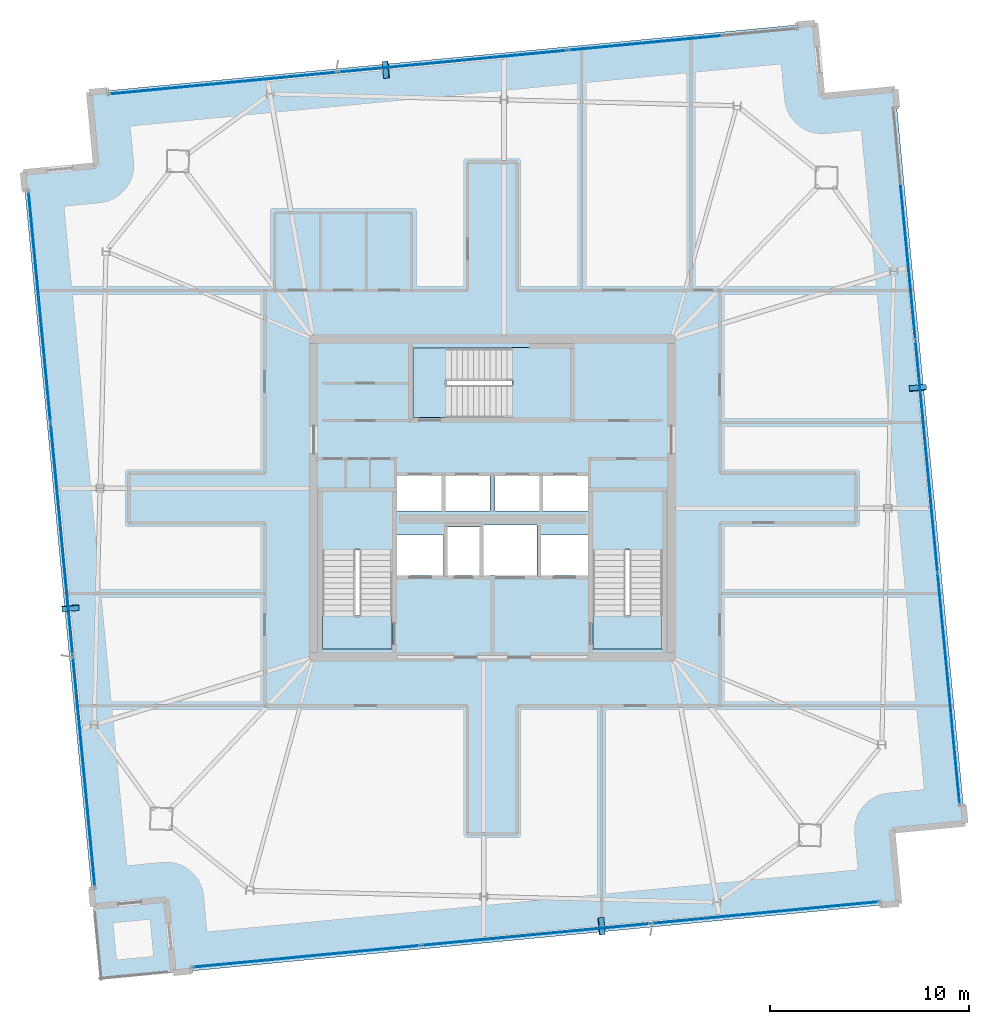
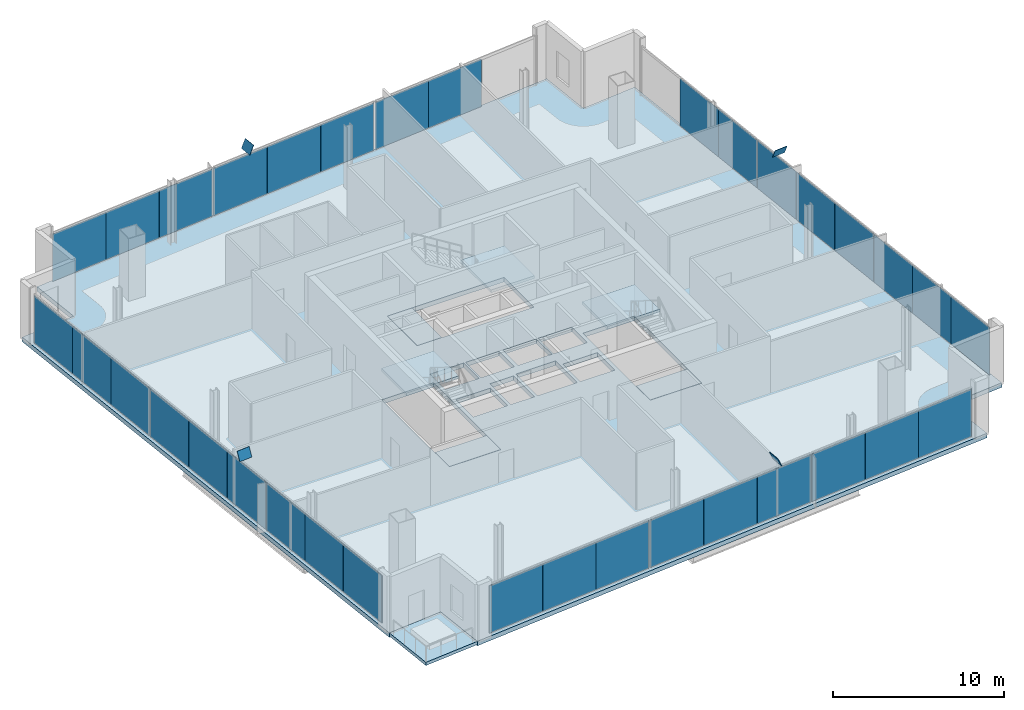
# One storey, part 17 of 24: 38 plates, 8 slabs, 7 elements without a shape of their own.
"""IFC4 building model written with IfcOpenShell, lengths in metres."""

from ifc_helpers import new_model, si_unit, direction, frame, origin, origin_2d, place, context, subcontext, project, spatial, polyline, rectangle, outline, extrude, source, transform, mapped, material, layer, layer_set, type_object, element, aggregate, save


model = new_model("IFC4")

# Units and contexts
model_context = context("Model", 3, precision=1e-05, world=origin(), true_north=direction((0.0, 1.0)))
body_context = subcontext(model_context, "Body", "Model", "MODEL_VIEW")
ifc_project = project(units=[si_unit("LENGTHUNIT", "METRE"), si_unit("AREAUNIT", "SQUARE_METRE"), si_unit("VOLUMEUNIT", "CUBIC_METRE"), si_unit("PLANEANGLEUNIT", "RADIAN"), si_unit("MASSUNIT", "GRAM", prefix="KILO")], contexts=[model_context])

# Site, building, storey
site_placement = place(None, origin())
site = spatial("IfcSite", under=ifc_project, at=site_placement, CompositionType="ELEMENT")
building_placement = place(site_placement, origin())
building = spatial("IfcBuilding", under=site, at=building_placement, Name="Haldenkirk Collegiate Tower", CompositionType="ELEMENT")
storey_placement = place(building_placement, frame((0.0, 0.0, 347.699951171875)))
storey = spatial("IfcBuildingStorey", under=building, at=storey_placement, Name="L88", CompositionType="ELEMENT", Elevation=347.699951171875)

# Slab
ifc_material_1 = material(Name="Concrete f'c 40 MPa", Category="concrete")
ifc_layer_1 = layer(ifc_material_1, 0.320068359375)
ifc_layer_set_1 = layer_set([ifc_layer_1], Name="Concrete f'c 40 MPa")
slab_type_1 = type_object("IfcSlabType", Name="SLB-FLR-320", PredefinedType="FLOOR", material=ifc_layer_set_1)
slab_1_placement = place(storey_placement, frame((0.0, 0.0, -0.320068359375)))
element("IfcSlab", 1, at=slab_1_placement, inside=storey, type_object=slab_type_1, Name="L88 composite structural floor slab", PredefinedType="FLOOR", context=body_context, shape_type="SweptSolid", body=[
    extrude(outline(polyline([(59.786865234375, 9.63525390625), (56.26318359375, 46.5673828125), (52.579833984375, 46.216064453125), (52.228515625, 49.8994140625), (15.71923828125, 46.416015625), (16.07080078125, 42.73291015625), (12.387451171875, 42.38134765625), (15.9111328125, 5.44921875), (19.59423828125, 5.800537109375), (19.94580078125, 2.1171875), (56.454833984375, 5.6005859375), (56.103515625, 9.28369140625), (59.786865234375, 9.63525390625)]), holes=[polyline([(27.449951171875, 18.39990234375), (30.949951171875, 18.39990234375), (30.949951171875, 26.300048828125), (27.449951171875, 26.300048828125), (27.449951171875, 18.39990234375)]), polyline([(41.050048828125, 18.39990234375), (44.550048828125, 18.39990234375), (44.550048828125, 26.300048828125), (41.050048828125, 26.300048828125), (41.050048828125, 18.39990234375)]), polyline([(32.0, 30.050048828125), (39.89990234375, 30.050048828125), (39.89990234375, 33.550048828125), (32.0, 33.550048828125), (32.0, 30.050048828125)]), polyline([(33.75, 22.10009765625), (35.35009765625, 22.10009765625), (35.35009765625, 24.550048828125), (33.75, 24.550048828125), (33.75, 22.10009765625)]), polyline([(31.199951171875, 25.35009765625), (33.47998046875, 25.35009765625), (33.47998046875, 27.14990234375), (31.199951171875, 27.14990234375), (31.199951171875, 25.35009765625)]), polyline([(33.60009765625, 25.35009765625), (35.8798828125, 25.35009765625), (35.8798828125, 27.14990234375), (33.60009765625, 27.14990234375), (33.60009765625, 25.35009765625)]), polyline([(36.1201171875, 25.35009765625), (38.39990234375, 25.35009765625), (38.39990234375, 27.14990234375), (36.1201171875, 27.14990234375), (36.1201171875, 25.35009765625)]), polyline([(38.52001953125, 25.35009765625), (40.800048828125, 25.35009765625), (40.800048828125, 27.14990234375), (38.52001953125, 27.14990234375), (38.52001953125, 25.35009765625)]), polyline([(31.199951171875, 22.10009765625), (33.550048828125, 22.10009765625), (33.550048828125, 24.14990234375), (31.199951171875, 24.14990234375), (31.199951171875, 22.10009765625)]), polyline([(38.449951171875, 22.10009765625), (40.800048828125, 22.10009765625), (40.800048828125, 24.14990234375), (38.449951171875, 24.14990234375), (38.449951171875, 22.10009765625)]), polyline([(35.550048828125, 22.10009765625), (38.25, 22.10009765625), (38.25, 24.64990234375), (35.550048828125, 24.64990234375), (35.550048828125, 22.10009765625)])]), origin(), (0.0, 0.0, 1.0), 0.320068359375),
])

# Stair, slab
stair_type = type_object("IfcStairType", Name="STR-DOGLEG-1650", PredefinedType="HALF_TURN_STAIR", material=ifc_material_1)
stair_1_placement = place(storey_placement, origin())
stair_1 = element("IfcStair", 2, at=stair_1_placement, inside=storey, type_object=stair_type, Name="L88 Core Exit Stair ST-1", PredefinedType="HALF_TURN_STAIR")
ifc_layer_2 = layer(ifc_material_1, 0.199951171875)
ifc_layer_set_2 = layer_set([ifc_layer_2], Name="Concrete f'c 40 MPa")
slab_type_2 = type_object("IfcSlabType", Name="SLB-LANDING-200", PredefinedType="LANDING", material=ifc_layer_set_2)
slab_2_placement = place(storey_placement, frame((0.0, 0.0, 2.050048828125)))
slab_2 = element("IfcSlab", 3, at=slab_2_placement, type_object=slab_type_2, Name="ST-1 landing 1", PredefinedType="LANDING", context=body_context, shape_type="SweptSolid", body=[
    extrude(outline(polyline([(30.97509765625, 23.385009765625), (27.425048828125, 23.385009765625), (27.425048828125, 26.324951171875), (30.97509765625, 26.324951171875), (30.97509765625, 23.385009765625)])), origin(), (0.0, 0.0, 1.0), 0.199951171875),
])
aggregate(stair_1, [slab_2])

stair_2_placement = place(storey_placement, origin())
stair_2 = element("IfcStair", 4, at=stair_2_placement, inside=storey, type_object=stair_type, Name="L88 Core Exit Stair ST-2", PredefinedType="HALF_TURN_STAIR")
slab_3_placement = place(storey_placement, frame((0.0, 0.0, 2.050048828125)))
slab_3 = element("IfcSlab", 5, at=slab_3_placement, type_object=slab_type_2, Name="ST-2 landing 1", PredefinedType="LANDING", context=body_context, shape_type="SweptSolid", body=[
    extrude(outline(polyline([(44.574951171875, 23.385009765625), (41.02490234375, 23.385009765625), (41.02490234375, 26.324951171875), (44.574951171875, 26.324951171875), (44.574951171875, 23.385009765625)])), origin(), (0.0, 0.0, 1.0), 0.199951171875),
])
aggregate(stair_2, [slab_3])

stair_3_placement = place(storey_placement, origin())
stair_3 = element("IfcStair", 6, at=stair_3_placement, inside=storey, type_object=stair_type, Name="L88 Core Exit Stair ST-3", PredefinedType="HALF_TURN_STAIR")
slab_4_placement = place(storey_placement, frame((0.0, 0.0, 2.050048828125)))
slab_4 = element("IfcSlab", 7, at=slab_4_placement, type_object=slab_type_2, Name="ST-3 landing 1", PredefinedType="LANDING", context=body_context, shape_type="SweptSolid", body=[
    extrude(outline(polyline([(36.985107421875, 30.02490234375), (36.985107421875, 33.574951171875), (39.925048828125, 33.574951171875), (39.925048828125, 30.02490234375), (36.985107421875, 30.02490234375)])), origin(), (0.0, 0.0, 1.0), 0.199951171875),
])
aggregate(stair_3, [slab_4])

# Slabs
ifc_layer_3 = layer(ifc_material_1, 0.25)
ifc_layer_set_3 = layer_set([ifc_layer_3], Name="Concrete f'c 40 MPa")
slab_type_3 = type_object("IfcSlabType", Name="SLB-STAIRLAND-250", PredefinedType="LANDING", material=ifc_layer_set_3)
slab_5_placement = place(storey_placement, frame((0.0, 0.0, -0.25)))
element("IfcSlab", 8, at=slab_5_placement, inside=storey, type_object=slab_type_3, Name="L88 stair ST1 structural floor landing slab", PredefinedType="LANDING", context=body_context, shape_type="SweptSolid", body=[
    extrude(outline(polyline([(27.4599609375, 18.409912109375), (30.93994140625, 18.409912109375), (30.93994140625, 20.080078125), (27.4599609375, 20.080078125), (27.4599609375, 18.409912109375)])), origin(), (0.0, 0.0, 1.0), 0.25),
])
slab_6_placement = place(storey_placement, frame((0.0, 0.0, -0.25)))
element("IfcSlab", 9, at=slab_6_placement, inside=storey, type_object=slab_type_3, Name="L88 stair ST2 structural floor landing slab", PredefinedType="LANDING", context=body_context, shape_type="SweptSolid", body=[
    extrude(outline(polyline([(41.06005859375, 18.409912109375), (44.5400390625, 18.409912109375), (44.5400390625, 20.080078125), (41.06005859375, 20.080078125), (41.06005859375, 18.409912109375)])), origin(), (0.0, 0.0, 1.0), 0.25),
])
slab_7_placement = place(storey_placement, frame((0.0, 0.0, -0.25)))
element("IfcSlab", 10, at=slab_7_placement, inside=storey, type_object=slab_type_3, Name="L88 stair ST3 structural floor landing slab", PredefinedType="LANDING", context=body_context, shape_type="SweptSolid", body=[
    extrude(outline(polyline([(32.010009765625, 30.06005859375), (33.679931640625, 30.06005859375), (33.679931640625, 33.5400390625), (32.010009765625, 33.5400390625), (32.010009765625, 30.06005859375)])), origin(), (0.0, 0.0, 1.0), 0.25),
])
ifc_layer_4 = layer(ifc_material_1, 0.22998046875)
ifc_layer_set_4 = layer_set([ifc_layer_4], Name="Concrete f'c 40 MPa")
slab_type_4 = type_object("IfcSlabType", Name="SLB-TERR-SPIRAL-230", PredefinedType="FLOOR", material=ifc_layer_set_4)
slab_8_placement = place(storey_placement, frame((0.0, 0.0, -0.22998046875)))
element("IfcSlab", 11, at=slab_8_placement, inside=storey, type_object=slab_type_4, Name="L88 spiralling corner terrace slab", PredefinedType="FLOOR", context=body_context, shape_type="SweptSolid", body=[
    extrude(outline(polyline([(19.94580078125, 2.1171875), (19.59423828125, 5.800537109375), (15.9111328125, 5.44921875), (16.262451171875, 1.765869140625), (19.94580078125, 2.1171875)])), origin(), (0.0, 0.0, 1.0), 0.22998046875),
])

# Plates
ifc_material_2 = material(Name="Steel ASTM A572 Grade 50", Category="steel")
ifc_layer_5 = layer(ifc_material_2, 0.034912109375)
ifc_layer_set_5 = layer_set([ifc_layer_5], Name="Steel ASTM A572 Grade 50")
plate_type_1 = type_object("IfcPlateType", Name="PLT-CAP-EXT-760X600", PredefinedType="USERDEFINED", material=ifc_layer_set_5)
shared_shape_1 = source(origin(), body_context, "Body", "SweptSolid", [
    extrude(rectangle(XDim=0.860107421875, YDim=0.659912109375, at=origin_2d()), origin(), (0.0, 0.0, 1.0), 0.034912109375),
])
for number, where, z_axis, x_axis, name in (
    (12, (57.4111328125, 31.52880859375, 4.0888671875), (-0.075648006878, 0.915366083223, 0.395452035954), (-0.996602521808, -0.082361480843, -2.23279e-07), "Perimeter Mega Brace Z6 L87-L88 SL end cap plate 2"),
    (13, (30.652099609375, 47.55810546875, 4.0888671875), (-0.909219245605, -0.075028020267, 0.409501110617), (0.082239699396, -0.99661257861, 1.18917e-07), "Perimeter Mega Brace Z6 L87-L88 EL end cap plate 2"),
    (14, (14.76513671875, 20.470458984375, 4.0888671875), (0.075681954815, -0.915407453462, 0.395349763959), (0.996599780149, 0.08239464914, 1.42705e-07), "Perimeter Mega Brace Z6 L87-L88 NL end cap plate 2"),
    (15, (41.4775390625, 4.45703125, 4.0888671875), (0.909092310167, 0.075288025687, 0.409735139795), (-0.082534127983, 0.996588238802, -4.8437e-08), "Perimeter Mega Brace Z6 L87-L88 WL end cap plate 2"),
):
    element("IfcPlate", number, at=place(storey_placement, frame(where, z_axis=z_axis, x_axis=x_axis)), inside=storey, type_object=plate_type_1, Name=name, ObjectType="END CAP PLATE", PredefinedType="USERDEFINED", context=body_context, shape_type="MappedRepresentation", body=[
        mapped(shared_shape_1, transform((0.0, 0.0, 0.0), x_axis=(1.0, 0.0, 0.0), y_axis=(0.0, 1.0, 0.0), z_axis=(0.0, 0.0, 1.0), scale=1.0)),
    ])

# Curtain wall, plates
ifc_material_3 = material(Name="Anodised architectural bronze aluminium", Category="aluminium")
curtain_wall_type_1 = type_object("IfcCurtainWallType", Name="CW-SYS2-CONCAVE", PredefinedType="USERDEFINED", material=ifc_material_3)
curtain_wall_1_placement = place(storey_placement, origin())
curtain_wall_1 = element("IfcCurtainWall", 16, at=curtain_wall_1_placement, inside=storey, type_object=curtain_wall_type_1, Name="L88 South concave recessed bronze-anodised curtain wall", ObjectType="UNITISED CURTAIN WALL", PredefinedType="USERDEFINED")
ifc_material_4 = material(Name="Bronze-anodised insulated aluminium spandrel panel", Category="aluminium")
ifc_layer_6 = layer(ifc_material_4, 0.0419921875)
ifc_layer_set_6 = layer_set([ifc_layer_6], Name="Bronze-anodised insulated aluminium spandrel panel")
plate_type_2 = type_object("IfcPlateType", Name="CW-SPD-02", PredefinedType="CURTAIN_PANEL", material=ifc_layer_set_6)
shared_shape_2 = source(origin(), body_context, "Body", "SweptSolid", [
    extrude(rectangle(XDim=3.872314453125, YDim=0.0419921875, at=origin_2d()), origin(), (0.0, 0.0, 1.0), 3.407958984375),
])
plate_1_placement = place(storey_placement, frame((57.099609375, 35.90576171875, 0.0751953125), z_axis=(0.0, 0.0, 1.0), x_axis=(0.094974326396, -0.995479722207, 0.0)))
plate_1 = element("IfcPlate", 17, at=plate_1_placement, type_object=plate_type_2, Name="CW-02 spandrel panel 1.1c", PredefinedType="CURTAIN_PANEL", context=body_context, shape_type="MappedRepresentation", body=[
    mapped(shared_shape_2, transform((0.0, 0.0, 0.0), x_axis=(1.0, 0.0, 0.0), y_axis=(0.0, 1.0, 0.0), z_axis=(0.0, 0.0, 1.0), scale=1.0)),
])
plate_2_placement = place(storey_placement, frame((57.845703125, 28.084228515625, 0.0751953125), z_axis=(0.0, 0.0, 1.0), x_axis=(0.094974326396, -0.995479722207, 0.0)))
plate_2 = element("IfcPlate", 18, at=plate_2_placement, type_object=plate_type_2, Name="CW-02 spandrel panel 2.1b", PredefinedType="CURTAIN_PANEL", context=body_context, shape_type="MappedRepresentation", body=[
    mapped(shared_shape_2, transform((0.0, 0.0, 0.0), x_axis=(1.0, 0.0, 0.0), y_axis=(0.0, 1.0, 0.0), z_axis=(0.0, 0.0, 1.0), scale=1.0)),
])
plate_3_placement = place(storey_placement, frame((58.592041015625, 20.2626953125, 0.0751953125), z_axis=(0.0, 0.0, 1.0), x_axis=(0.094974326396, -0.995479722207, 0.0)))
plate_3 = element("IfcPlate", 19, at=plate_3_placement, type_object=plate_type_2, Name="CW-02 spandrel panel 3.1a", PredefinedType="CURTAIN_PANEL", context=body_context, shape_type="MappedRepresentation", body=[
    mapped(shared_shape_2, transform((0.0, 0.0, 0.0), x_axis=(1.0, 0.0, 0.0), y_axis=(0.0, 1.0, 0.0), z_axis=(0.0, 0.0, 1.0), scale=1.0)),
])
ifc_material_5 = material(Name="Low-E argon triple insulating glass", Category="glass")
ifc_layer_7 = layer(ifc_material_5, 0.0419921875)
ifc_layer_set_7 = layer_set([ifc_layer_7], Name="Low-E argon triple insulating glass")
plate_type_3 = type_object("IfcPlateType", Name="CW-PNL-02", PredefinedType="CURTAIN_PANEL", material=ifc_layer_set_7)
plate_4_placement = place(storey_placement, frame((59.3310546875, 12.51611328125, 0.0751953125), z_axis=(0.0, 0.0, 1.0), x_axis=(0.094974326396, -0.995479722207, 0.0)))
plate_4 = element("IfcPlate", 20, at=plate_4_placement, type_object=plate_type_3, Name="CW-02 panel 3.1c", PredefinedType="CURTAIN_PANEL", context=body_context, shape_type="MappedRepresentation", body=[
    mapped(shared_shape_2, transform((0.0, 0.0, 0.0), x_axis=(1.0, 0.0, 0.0), y_axis=(0.0, 1.0, 0.0), z_axis=(0.0, 0.0, 1.0), scale=1.0)),
])
shared_shape_3 = source(origin(), body_context, "Body", "SweptSolid", [
    extrude(rectangle(XDim=3.859619140625, YDim=0.0419921875, at=origin_2d()), origin(), (0.0, 0.0, 1.0), 3.407958984375),
])
plate_5_placement = place(storey_placement, frame((56.72998046875, 39.779052734375, 0.0751953125), z_axis=(0.0, 0.0, 1.0), x_axis=(0.094974326396, -0.995479722207, 0.0)))
plate_5 = element("IfcPlate", 21, at=plate_5_placement, type_object=plate_type_3, Name="CW-02 panel 1.1b", PredefinedType="CURTAIN_PANEL", context=body_context, shape_type="MappedRepresentation", body=[
    mapped(shared_shape_3, transform((0.0, 0.0, 0.0), x_axis=(1.0, 0.0, 0.0), y_axis=(0.0, 1.0, 0.0), z_axis=(0.0, 0.0, 1.0), scale=1.0)),
])
plate_6_placement = place(storey_placement, frame((58.961669921875, 16.389404296875, 0.0751953125), z_axis=(0.0, 0.0, 1.0), x_axis=(0.094974326396, -0.995479722207, 0.0)))
plate_6 = element("IfcPlate", 22, at=plate_6_placement, type_object=plate_type_3, Name="CW-02 panel 3.1b", PredefinedType="CURTAIN_PANEL", context=body_context, shape_type="MappedRepresentation", body=[
    mapped(shared_shape_3, transform((0.0, 0.0, 0.0), x_axis=(1.0, 0.0, 0.0), y_axis=(0.0, 1.0, 0.0), z_axis=(0.0, 0.0, 1.0), scale=1.0)),
])
shared_shape_4 = source(origin(), body_context, "Body", "SweptSolid", [
    extrude(rectangle(XDim=3.884765625, YDim=0.0419921875, at=origin_2d()), origin(), (0.0, 0.0, 1.0), 3.407958984375),
])
plate_7_placement = place(storey_placement, frame((57.47509765625, 31.97021484375, 0.0751953125), z_axis=(0.0, 0.0, 1.0), x_axis=(0.094974326396, -0.995479722207, 0.0)))
plate_7 = element("IfcPlate", 23, at=plate_7_placement, type_object=plate_type_2, Name="CW-02 spandrel panel 2.1a", PredefinedType="CURTAIN_PANEL", context=body_context, shape_type="MappedRepresentation", body=[
    mapped(shared_shape_4, transform((0.0, 0.0, 0.0), x_axis=(1.0, 0.0, 0.0), y_axis=(0.0, 1.0, 0.0), z_axis=(0.0, 0.0, 1.0), scale=1.0)),
])
plate_8_placement = place(storey_placement, frame((58.216552734375, 24.198486328125, 0.0751953125), z_axis=(0.0, 0.0, 1.0), x_axis=(0.094974326396, -0.995479722207, 0.0)))
plate_8 = element("IfcPlate", 24, at=plate_8_placement, type_object=plate_type_2, Name="CW-02 spandrel panel 2.1c", PredefinedType="CURTAIN_PANEL", context=body_context, shape_type="MappedRepresentation", body=[
    mapped(shared_shape_4, transform((0.0, 0.0, 0.0), x_axis=(1.0, 0.0, 0.0), y_axis=(0.0, 1.0, 0.0), z_axis=(0.0, 0.0, 1.0), scale=1.0)),
])
aggregate(curtain_wall_1, [plate_5, plate_1, plate_7, plate_2, plate_8, plate_3, plate_6, plate_4])

curtain_wall_type_2 = type_object("IfcCurtainWallType", Name="CW-SYS1B-CONVEX-HI", PredefinedType="USERDEFINED", material=ifc_material_3)
curtain_wall_2_placement = place(storey_placement, origin())
curtain_wall_2 = element("IfcCurtainWall", 25, at=curtain_wall_2_placement, inside=storey, type_object=curtain_wall_type_2, Name="L88 Upper tower high-wind convex bronze unitised curtain wall", ObjectType="UNITISED CURTAIN WALL", PredefinedType="USERDEFINED")
ifc_layer_8 = layer(ifc_material_5, 0.048095703125)
ifc_layer_set_8 = layer_set([ifc_layer_8], Name="Low-E argon triple insulating glass")
plate_type_4 = type_object("IfcPlateType", Name="CW-PNL-1B", PredefinedType="CURTAIN_PANEL", material=ifc_layer_set_8)
shared_shape_5 = source(origin(), body_context, "Body", "SweptSolid", [
    extrude(rectangle(XDim=3.820068359375, YDim=0.048095703125, at=origin_2d()), origin(), (0.0, 0.0, 1.0), 3.387939453125),
])
plate_9_placement = place(storey_placement, frame((18.618408203125, 46.511962890625, 0.0849609375), z_axis=(0.0, 0.0, 1.0), x_axis=(0.995479543001, 0.094976204743, 0.0)))
plate_9 = element("IfcPlate", 26, at=plate_9_placement, type_object=plate_type_4, Name="CW-1B panel 1.1a", PredefinedType="CURTAIN_PANEL", context=body_context, shape_type="MappedRepresentation", body=[
    mapped(shared_shape_5, transform((0.0, 0.0, 0.0), x_axis=(1.0, 0.0, 0.0), y_axis=(0.0, 1.0, 0.0), z_axis=(0.0, 0.0, 1.0), scale=1.0)),
])
ifc_layer_9 = layer(ifc_material_4, 0.048095703125)
ifc_layer_set_9 = layer_set([ifc_layer_9], Name="Bronze-anodised insulated aluminium spandrel panel")
plate_type_5 = type_object("IfcPlateType", Name="CW-SPD-1B", PredefinedType="CURTAIN_PANEL", material=ifc_layer_set_9)
plate_10_placement = place(storey_placement, frame((26.260986328125, 47.2412109375, 0.0849609375), z_axis=(0.0, 0.0, 1.0), x_axis=(0.995479543001, 0.094976204743, 0.0)))
plate_10 = element("IfcPlate", 27, at=plate_10_placement, type_object=plate_type_5, Name="CW-1B spandrel panel 1.1c", PredefinedType="CURTAIN_PANEL", context=body_context, shape_type="MappedRepresentation", body=[
    mapped(shared_shape_5, transform((0.0, 0.0, 0.0), x_axis=(1.0, 0.0, 0.0), y_axis=(0.0, 1.0, 0.0), z_axis=(0.0, 0.0, 1.0), scale=1.0)),
])
plate_11_placement = place(storey_placement, frame((41.720947265625, 48.716064453125, 0.0849609375), z_axis=(0.0, 0.0, 1.0), x_axis=(0.995479543001, 0.094976204743, 0.0)))
plate_11 = element("IfcPlate", 28, at=plate_11_placement, type_object=plate_type_5, Name="CW-1B spandrel panel 3.1a", PredefinedType="CURTAIN_PANEL", context=body_context, shape_type="MappedRepresentation", body=[
    mapped(shared_shape_5, transform((0.0, 0.0, 0.0), x_axis=(1.0, 0.0, 0.0), y_axis=(0.0, 1.0, 0.0), z_axis=(0.0, 0.0, 1.0), scale=1.0)),
])

curtain_wall_3_placement = place(storey_placement, origin())
curtain_wall_3 = element("IfcCurtainWall", 29, at=curtain_wall_3_placement, inside=storey, type_object=curtain_wall_type_2, Name="L88 Upper tower high-wind convex bronze unitised curtain wall", ObjectType="UNITISED CURTAIN WALL", PredefinedType="USERDEFINED")
plate_12_placement = place(storey_placement, frame((53.555908203125, 5.504638671875, 0.0849609375), z_axis=(0.0, 0.0, 1.0), x_axis=(-0.9954798141, -0.094973363212, 0.0)))
plate_12 = element("IfcPlate", 30, at=plate_12_placement, type_object=plate_type_4, Name="CW-1B panel 1.1a", PredefinedType="CURTAIN_PANEL", context=body_context, shape_type="MappedRepresentation", body=[
    mapped(shared_shape_5, transform((0.0, 0.0, 0.0), x_axis=(1.0, 0.0, 0.0), y_axis=(0.0, 1.0, 0.0), z_axis=(0.0, 0.0, 1.0), scale=1.0)),
])
plate_13_placement = place(storey_placement, frame((45.9130859375, 4.775634765625, 0.0849609375), z_axis=(0.0, 0.0, 1.0), x_axis=(-0.9954798141, -0.094973363212, 0.0)))
plate_13 = element("IfcPlate", 31, at=plate_13_placement, type_object=plate_type_5, Name="CW-1B spandrel panel 1.1c", PredefinedType="CURTAIN_PANEL", context=body_context, shape_type="MappedRepresentation", body=[
    mapped(shared_shape_5, transform((0.0, 0.0, 0.0), x_axis=(1.0, 0.0, 0.0), y_axis=(0.0, 1.0, 0.0), z_axis=(0.0, 0.0, 1.0), scale=1.0)),
])
plate_14_placement = place(storey_placement, frame((30.453369140625, 3.300537109375, 0.0849609375), z_axis=(0.0, 0.0, 1.0), x_axis=(-0.9954798141, -0.094973363212, 0.0)))
plate_14 = element("IfcPlate", 32, at=plate_14_placement, type_object=plate_type_5, Name="CW-1B spandrel panel 3.1a", PredefinedType="CURTAIN_PANEL", context=body_context, shape_type="MappedRepresentation", body=[
    mapped(shared_shape_5, transform((0.0, 0.0, 0.0), x_axis=(1.0, 0.0, 0.0), y_axis=(0.0, 1.0, 0.0), z_axis=(0.0, 0.0, 1.0), scale=1.0)),
])
plate_15_placement = place(storey_placement, frame((22.810546875, 2.571533203125, 0.0849609375), z_axis=(0.0, 0.0, 1.0), x_axis=(-0.9954798141, -0.094973363212, 0.0)))
plate_15 = element("IfcPlate", 33, at=plate_15_placement, type_object=plate_type_4, Name="CW-1B panel 3.1c", PredefinedType="CURTAIN_PANEL", context=body_context, shape_type="MappedRepresentation", body=[
    mapped(shared_shape_5, transform((0.0, 0.0, 0.0), x_axis=(1.0, 0.0, 0.0), y_axis=(0.0, 1.0, 0.0), z_axis=(0.0, 0.0, 1.0), scale=1.0)),
])

# Plate
shared_shape_6 = source(origin(), body_context, "Body", "SweptSolid", [
    extrude(rectangle(XDim=3.8076171875, YDim=0.048095703125, at=origin_2d()), origin(), (0.0, 0.0, 1.0), 3.387939453125),
])
plate_16_placement = place(storey_placement, frame((22.439697265625, 46.87646484375, 0.0849609375), z_axis=(0.0, 0.0, 1.0), x_axis=(0.995479543001, 0.094976204743, 0.0)))
plate_16 = element("IfcPlate", 34, at=plate_16_placement, type_object=plate_type_4, Name="CW-1B panel 1.1b", PredefinedType="CURTAIN_PANEL", context=body_context, shape_type="MappedRepresentation", body=[
    mapped(shared_shape_6, transform((0.0, 0.0, 0.0), x_axis=(1.0, 0.0, 0.0), y_axis=(0.0, 1.0, 0.0), z_axis=(0.0, 0.0, 1.0), scale=1.0)),
])

plate_17_placement = place(storey_placement, frame((45.542236328125, 49.08056640625, 0.0849609375), z_axis=(0.0, 0.0, 1.0), x_axis=(0.995479543001, 0.094976204743, 0.0)))
plate_17 = element("IfcPlate", 35, at=plate_17_placement, type_object=plate_type_4, Name="CW-1B panel 3.1b", PredefinedType="CURTAIN_PANEL", context=body_context, shape_type="MappedRepresentation", body=[
    mapped(shared_shape_6, transform((0.0, 0.0, 0.0), x_axis=(1.0, 0.0, 0.0), y_axis=(0.0, 1.0, 0.0), z_axis=(0.0, 0.0, 1.0), scale=1.0)),
])

plate_18_placement = place(storey_placement, frame((49.734619140625, 5.14013671875, 0.0849609375), z_axis=(0.0, 0.0, 1.0), x_axis=(-0.9954798141, -0.094973363212, 0.0)))
plate_18 = element("IfcPlate", 36, at=plate_18_placement, type_object=plate_type_4, Name="CW-1B panel 1.1b", PredefinedType="CURTAIN_PANEL", context=body_context, shape_type="MappedRepresentation", body=[
    mapped(shared_shape_6, transform((0.0, 0.0, 0.0), x_axis=(1.0, 0.0, 0.0), y_axis=(0.0, 1.0, 0.0), z_axis=(0.0, 0.0, 1.0), scale=1.0)),
])

plate_19_placement = place(storey_placement, frame((26.6318359375, 2.93603515625, 0.0849609375), z_axis=(0.0, 0.0, 1.0), x_axis=(-0.9954798141, -0.094973363212, 0.0)))
plate_19 = element("IfcPlate", 37, at=plate_19_placement, type_object=plate_type_4, Name="CW-1B panel 3.1b", PredefinedType="CURTAIN_PANEL", context=body_context, shape_type="MappedRepresentation", body=[
    mapped(shared_shape_6, transform((0.0, 0.0, 0.0), x_axis=(1.0, 0.0, 0.0), y_axis=(0.0, 1.0, 0.0), z_axis=(0.0, 0.0, 1.0), scale=1.0)),
])

shared_shape_7 = source(origin(), body_context, "Body", "SweptSolid", [
    extrude(rectangle(XDim=3.834228515625, YDim=0.048095703125, at=origin_2d()), origin(), (0.0, 0.0, 1.0), 3.387939453125),
])
plate_20_placement = place(storey_placement, frame((30.155517578125, 47.612548828125, 0.0849609375), z_axis=(0.0, 0.0, 1.0), x_axis=(0.995479543001, 0.094976204743, 0.0)))
plate_20 = element("IfcPlate", 38, at=plate_20_placement, type_object=plate_type_5, Name="CW-1B spandrel panel 2.1a", PredefinedType="CURTAIN_PANEL", context=body_context, shape_type="MappedRepresentation", body=[
    mapped(shared_shape_7, transform((0.0, 0.0, 0.0), x_axis=(1.0, 0.0, 0.0), y_axis=(0.0, 1.0, 0.0), z_axis=(0.0, 0.0, 1.0), scale=1.0)),
])

plate_21_placement = place(storey_placement, frame((37.826416015625, 48.344482421875, 0.0849609375), z_axis=(0.0, 0.0, 1.0), x_axis=(0.995479543001, 0.094976204743, 0.0)))
plate_21 = element("IfcPlate", 39, at=plate_21_placement, type_object=plate_type_5, Name="CW-1B spandrel panel 2.1c", PredefinedType="CURTAIN_PANEL", context=body_context, shape_type="MappedRepresentation", body=[
    mapped(shared_shape_7, transform((0.0, 0.0, 0.0), x_axis=(1.0, 0.0, 0.0), y_axis=(0.0, 1.0, 0.0), z_axis=(0.0, 0.0, 1.0), scale=1.0)),
])

plate_22_placement = place(storey_placement, frame((42.018798828125, 4.404052734375, 0.0849609375), z_axis=(0.0, 0.0, 1.0), x_axis=(-0.9954798141, -0.094973363212, 0.0)))
plate_22 = element("IfcPlate", 40, at=plate_22_placement, type_object=plate_type_5, Name="CW-1B spandrel panel 2.1a", PredefinedType="CURTAIN_PANEL", context=body_context, shape_type="MappedRepresentation", body=[
    mapped(shared_shape_7, transform((0.0, 0.0, 0.0), x_axis=(1.0, 0.0, 0.0), y_axis=(0.0, 1.0, 0.0), z_axis=(0.0, 0.0, 1.0), scale=1.0)),
])

plate_23_placement = place(storey_placement, frame((34.34765625, 3.672119140625, 0.0849609375), z_axis=(0.0, 0.0, 1.0), x_axis=(-0.9954798141, -0.094973363212, 0.0)))
plate_23 = element("IfcPlate", 41, at=plate_23_placement, type_object=plate_type_5, Name="CW-1B spandrel panel 2.1c", PredefinedType="CURTAIN_PANEL", context=body_context, shape_type="MappedRepresentation", body=[
    mapped(shared_shape_7, transform((0.0, 0.0, 0.0), x_axis=(1.0, 0.0, 0.0), y_axis=(0.0, 1.0, 0.0), z_axis=(0.0, 0.0, 1.0), scale=1.0)),
])

shared_shape_8 = source(origin(), body_context, "Body", "SweptSolid", [
    extrude(rectangle(XDim=3.82177734375, YDim=0.048095703125, at=origin_2d()), origin(), (0.0, 0.0, 1.0), 3.387939453125),
])
plate_24_placement = place(storey_placement, frame((33.990966796875, 47.978515625, 0.0849609375), z_axis=(0.0, 0.0, 1.0), x_axis=(0.995479543001, 0.094976204743, 0.0)))
plate_24 = element("IfcPlate", 42, at=plate_24_placement, type_object=plate_type_5, Name="CW-1B spandrel panel 2.1b", PredefinedType="CURTAIN_PANEL", context=body_context, shape_type="MappedRepresentation", body=[
    mapped(shared_shape_8, transform((0.0, 0.0, 0.0), x_axis=(1.0, 0.0, 0.0), y_axis=(0.0, 1.0, 0.0), z_axis=(0.0, 0.0, 1.0), scale=1.0)),
])

aggregate(curtain_wall_2, [plate_9, plate_16, plate_10, plate_20, plate_24, plate_21, plate_11, plate_17])

plate_25_placement = place(storey_placement, frame((38.18310546875, 4.0380859375, 0.0849609375), z_axis=(0.0, 0.0, 1.0), x_axis=(-0.9954798141, -0.094973363212, 0.0)))
plate_25 = element("IfcPlate", 43, at=plate_25_placement, type_object=plate_type_5, Name="CW-1B spandrel panel 2.1b", PredefinedType="CURTAIN_PANEL", context=body_context, shape_type="MappedRepresentation", body=[
    mapped(shared_shape_8, transform((0.0, 0.0, 0.0), x_axis=(1.0, 0.0, 0.0), y_axis=(0.0, 1.0, 0.0), z_axis=(0.0, 0.0, 1.0), scale=1.0)),
])

aggregate(curtain_wall_3, [plate_12, plate_18, plate_13, plate_22, plate_25, plate_23, plate_14, plate_19, plate_15])

# Curtain wall, plates
curtain_wall_4_placement = place(storey_placement, origin())
curtain_wall_4 = element("IfcCurtainWall", 44, at=curtain_wall_4_placement, inside=storey, type_object=curtain_wall_type_2, Name="L88 Upper tower high-wind convex bronze unitised curtain wall", ObjectType="UNITISED CURTAIN WALL", PredefinedType="USERDEFINED")
shared_shape_9 = source(origin(), body_context, "Body", "SweptSolid", [
    extrude(rectangle(XDim=3.8671875, YDim=0.048095703125, at=origin_2d()), origin(), (0.0, 0.0, 1.0), 3.387939453125),
])
plate_26_placement = place(storey_placement, frame((15.81298828125, 8.37158203125, 0.0849609375), z_axis=(0.0, 0.0, 1.0), x_axis=(-0.094977133699, 0.995479454371, 0.0)))
plate_26 = element("IfcPlate", 45, at=plate_26_placement, type_object=plate_type_4, Name="CW-1B panel 1.1a", PredefinedType="CURTAIN_PANEL", context=body_context, shape_type="MappedRepresentation", body=[
    mapped(shared_shape_9, transform((0.0, 0.0, 0.0), x_axis=(1.0, 0.0, 0.0), y_axis=(0.0, 1.0, 0.0), z_axis=(0.0, 0.0, 1.0), scale=1.0)),
])
plate_27_placement = place(storey_placement, frame((15.074951171875, 16.1083984375, 0.0849609375), z_axis=(0.0, 0.0, 1.0), x_axis=(-0.094977133699, 0.995479454371, 0.0)))
plate_27 = element("IfcPlate", 46, at=plate_27_placement, type_object=plate_type_5, Name="CW-1B spandrel panel 1.1c", PredefinedType="CURTAIN_PANEL", context=body_context, shape_type="MappedRepresentation", body=[
    mapped(shared_shape_9, transform((0.0, 0.0, 0.0), x_axis=(1.0, 0.0, 0.0), y_axis=(0.0, 1.0, 0.0), z_axis=(0.0, 0.0, 1.0), scale=1.0)),
])
plate_28_placement = place(storey_placement, frame((13.58203125, 31.75634765625, 0.0849609375), z_axis=(0.0, 0.0, 1.0), x_axis=(-0.094977133699, 0.995479454371, 0.0)))
plate_28 = element("IfcPlate", 47, at=plate_28_placement, type_object=plate_type_5, Name="CW-1B spandrel panel 3.1a", PredefinedType="CURTAIN_PANEL", context=body_context, shape_type="MappedRepresentation", body=[
    mapped(shared_shape_9, transform((0.0, 0.0, 0.0), x_axis=(1.0, 0.0, 0.0), y_axis=(0.0, 1.0, 0.0), z_axis=(0.0, 0.0, 1.0), scale=1.0)),
])
plate_29_placement = place(storey_placement, frame((12.84375, 39.4931640625, 0.0849609375), z_axis=(0.0, 0.0, 1.0), x_axis=(-0.094977133699, 0.995479454371, 0.0)))
plate_29 = element("IfcPlate", 48, at=plate_29_placement, type_object=plate_type_4, Name="CW-1B panel 3.1c", PredefinedType="CURTAIN_PANEL", context=body_context, shape_type="MappedRepresentation", body=[
    mapped(shared_shape_9, transform((0.0, 0.0, 0.0), x_axis=(1.0, 0.0, 0.0), y_axis=(0.0, 1.0, 0.0), z_axis=(0.0, 0.0, 1.0), scale=1.0)),
])
shared_shape_10 = source(origin(), body_context, "Body", "SweptSolid", [
    extrude(rectangle(XDim=3.854736328125, YDim=0.048095703125, at=origin_2d()), origin(), (0.0, 0.0, 1.0), 3.387939453125),
])
plate_30_placement = place(storey_placement, frame((15.444091796875, 12.239990234375, 0.0849609375), z_axis=(0.0, 0.0, 1.0), x_axis=(-0.094977133699, 0.995479454371, 0.0)))
plate_30 = element("IfcPlate", 49, at=plate_30_placement, type_object=plate_type_4, Name="CW-1B panel 1.1b", PredefinedType="CURTAIN_PANEL", context=body_context, shape_type="MappedRepresentation", body=[
    mapped(shared_shape_10, transform((0.0, 0.0, 0.0), x_axis=(1.0, 0.0, 0.0), y_axis=(0.0, 1.0, 0.0), z_axis=(0.0, 0.0, 1.0), scale=1.0)),
])
plate_31_placement = place(storey_placement, frame((13.212890625, 35.624755859375, 0.0849609375), z_axis=(0.0, 0.0, 1.0), x_axis=(-0.094977133699, 0.995479454371, 0.0)))
plate_31 = element("IfcPlate", 50, at=plate_31_placement, type_object=plate_type_4, Name="CW-1B panel 3.1b", PredefinedType="CURTAIN_PANEL", context=body_context, shape_type="MappedRepresentation", body=[
    mapped(shared_shape_10, transform((0.0, 0.0, 0.0), x_axis=(1.0, 0.0, 0.0), y_axis=(0.0, 1.0, 0.0), z_axis=(0.0, 0.0, 1.0), scale=1.0)),
])
shared_shape_11 = source(origin(), body_context, "Body", "SweptSolid", [
    extrude(rectangle(XDim=3.88134765625, YDim=0.048095703125, at=origin_2d()), origin(), (0.0, 0.0, 1.0), 3.387939453125),
])
plate_32_placement = place(storey_placement, frame((14.698974609375, 20.0498046875, 0.0849609375), z_axis=(0.0, 0.0, 1.0), x_axis=(-0.094977133699, 0.995479454371, 0.0)))
plate_32 = element("IfcPlate", 51, at=plate_32_placement, type_object=plate_type_5, Name="CW-1B spandrel panel 2.1a", PredefinedType="CURTAIN_PANEL", context=body_context, shape_type="MappedRepresentation", body=[
    mapped(shared_shape_11, transform((0.0, 0.0, 0.0), x_axis=(1.0, 0.0, 0.0), y_axis=(0.0, 1.0, 0.0), z_axis=(0.0, 0.0, 1.0), scale=1.0)),
])
plate_33_placement = place(storey_placement, frame((13.9580078125, 27.81494140625, 0.0849609375), z_axis=(0.0, 0.0, 1.0), x_axis=(-0.094977133699, 0.995479454371, 0.0)))
plate_33 = element("IfcPlate", 52, at=plate_33_placement, type_object=plate_type_5, Name="CW-1B spandrel panel 2.1c", PredefinedType="CURTAIN_PANEL", context=body_context, shape_type="MappedRepresentation", body=[
    mapped(shared_shape_11, transform((0.0, 0.0, 0.0), x_axis=(1.0, 0.0, 0.0), y_axis=(0.0, 1.0, 0.0), z_axis=(0.0, 0.0, 1.0), scale=1.0)),
])
shared_shape_12 = source(origin(), body_context, "Body", "SweptSolid", [
    extrude(rectangle(XDim=3.868896484375, YDim=0.048095703125, at=origin_2d()), origin(), (0.0, 0.0, 1.0), 3.387939453125),
])
plate_34_placement = place(storey_placement, frame((14.328369140625, 23.932373046875, 0.0849609375), z_axis=(0.0, 0.0, 1.0), x_axis=(-0.094977133699, 0.995479454371, 0.0)))
plate_34 = element("IfcPlate", 53, at=plate_34_placement, type_object=plate_type_5, Name="CW-1B spandrel panel 2.1b", PredefinedType="CURTAIN_PANEL", context=body_context, shape_type="MappedRepresentation", body=[
    mapped(shared_shape_12, transform((0.0, 0.0, 0.0), x_axis=(1.0, 0.0, 0.0), y_axis=(0.0, 1.0, 0.0), z_axis=(0.0, 0.0, 1.0), scale=1.0)),
])
aggregate(curtain_wall_4, [plate_26, plate_30, plate_27, plate_32, plate_34, plate_33, plate_28, plate_31, plate_29])

save(model, "model.ifc")
